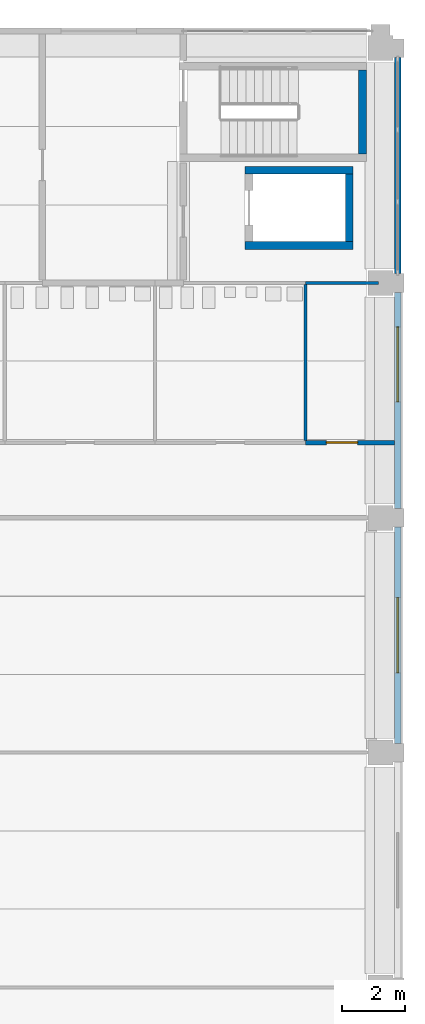
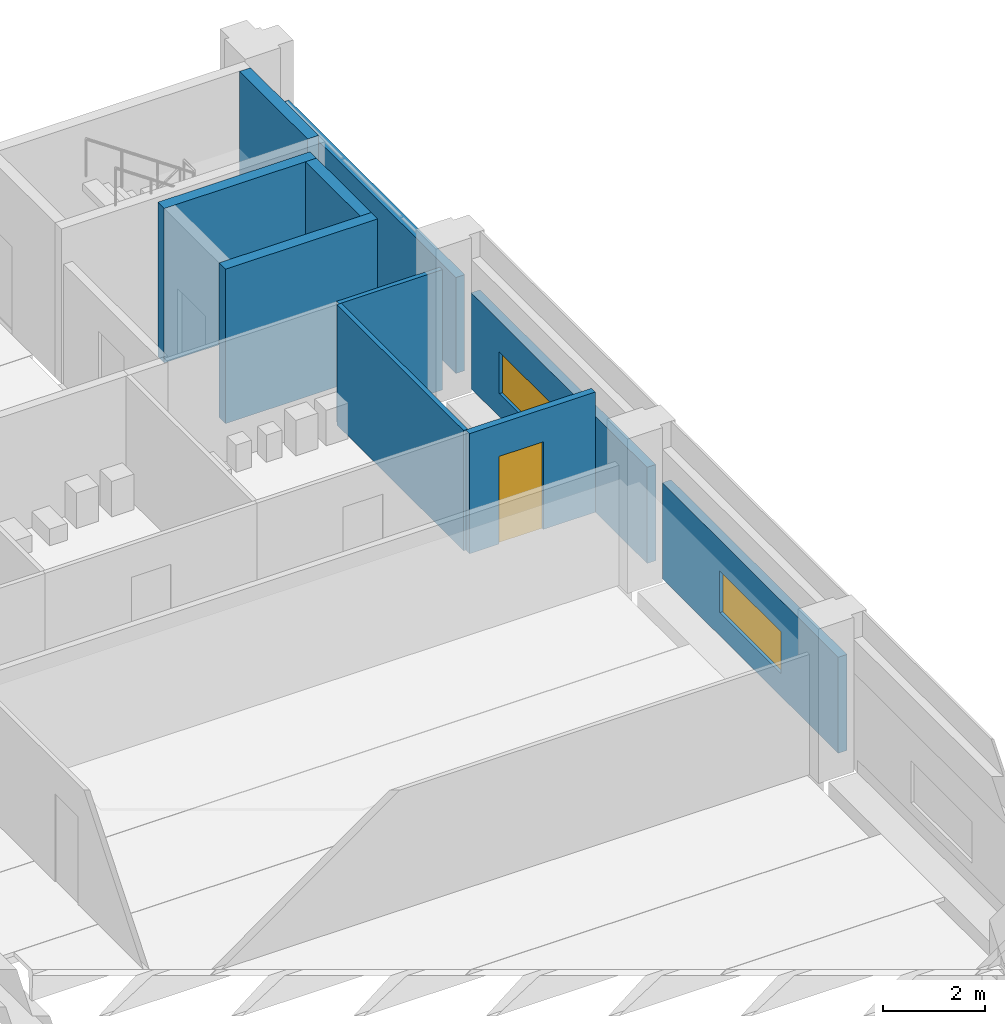
# One storey, part 39 of 61: 10 walls, 2 windows, 1 door, 3 openings.
"""IFC4 building model written with IfcOpenShell, lengths in metres."""

from ifc_helpers import new_model, si_unit, direction, frame, frame_2d, origin, place, context, subcontext, project, spatial, rectangle, extrude, material, layer, layer_set, type_object, element, fill, save


model = new_model("IFC4")

# Units and contexts
model_context = context("Model", 3, precision=1e-05, world=origin(), true_north=direction((0.0, 1.0)))
body_context = subcontext(model_context, "Body", "Model", "MODEL_VIEW")
ifc_project = project(units=[si_unit("LENGTHUNIT", "METRE"), si_unit("AREAUNIT", "SQUARE_METRE"), si_unit("VOLUMEUNIT", "CUBIC_METRE"), si_unit("PLANEANGLEUNIT", "RADIAN"), si_unit("MASSUNIT", "GRAM", prefix="KILO")], contexts=[model_context])

# Site, building, storey
site_placement = place(None, origin())
site = spatial("IfcSite", under=ifc_project, at=site_placement, CompositionType="ELEMENT")
building_placement = place(site_placement, origin())
building = spatial("IfcBuilding", under=site, at=building_placement, Name="Cour d'Honneur Mobility Palace", CompositionType="ELEMENT")
storey_placement = place(building_placement, frame((0.0, 0.0, 11.89990234375)))
storey = spatial("IfcBuildingStorey", under=building, at=storey_placement, Name="L03", CompositionType="ELEMENT", Elevation=11.89990234375)

# Walls
ifc_material_1 = material(Name="Concrete C50", Category="concrete")
ifc_layer_1 = layer(ifc_material_1, 0.25)
ifc_layer_set_1 = layer_set([ifc_layer_1], Name="Concrete C50")
wall_type_1 = type_object("IfcWallType", Name="Lift shaft wall 250", PredefinedType="SHEAR", material=ifc_layer_set_1)
for number, where, z_axis, x_axis, name in (
    (1, (157.97509765625, 108.60009765625, 0.0), (0.0, 0.0, 1.0), (1.0, 0.0, 0.0), "Lift shaft wall WL-NE1 L03"),
    (2, (157.97509765625, 111.0, 0.0), (0.0, 0.0, 1.0), (1.0, 0.0, 0.0), "Lift shaft wall WL-NE2 L03"),
):
    element("IfcWall", number, at=place(storey_placement, frame(where, z_axis=z_axis, x_axis=x_axis)), inside=storey, type_object=wall_type_1, Name=name, PredefinedType="SHEAR", context=body_context, shape_type="SweptSolid", body=[
        extrude(rectangle(XDim=3.449951171875, YDim=0.25, at=frame_2d((1.72509765625, 0.0))), origin(), (0.0, 0.0, 1.0), 3.7001953125),
    ])
wall_1_placement = place(storey_placement, frame((161.300048828125, 108.72509765625, 0.0), z_axis=(0.0, 0.0, 1.0), x_axis=(0.0, 1.0, 0.0)))
element("IfcWall", 3, at=wall_1_placement, inside=storey, type_object=wall_type_1, Name="Lift shaft wall WL-NE7 L03", PredefinedType="SHEAR", context=body_context, shape_type="SweptSolid", body=[
    extrude(rectangle(XDim=2.14990234375, YDim=0.25, at=frame_2d((1.074951171875, 0.0))), origin(), (0.0, 0.0, 1.0), 3.7001953125),
])
ifc_material_2 = material(Name="Gypsum plasterboard")
ifc_layer_2 = layer(ifc_material_2, 0.10009765625)
ifc_layer_set_2 = layer_set([ifc_layer_2], Name="Gypsum plasterboard")
wall_type_2 = type_object("IfcWallType", Name="Partition 100", PredefinedType="PARTITIONING", material=ifc_layer_set_2)
wall_2_placement = place(storey_placement, frame((159.89990234375, 107.35009765625, 0.0), z_axis=(0.0, 0.0, 1.0), x_axis=(0.0, -1.0, 0.0)))
element("IfcWall", 4, at=wall_2_placement, inside=storey, type_object=wall_type_2, Name="Partition 084", PredefinedType="PARTITIONING", context=body_context, shape_type="SweptSolid", body=[
    extrude(rectangle(XDim=4.97509765625, YDim=0.10009765625, at=frame_2d((2.487548828125, 0.0))), origin(), (0.0, 0.0, 1.0), 2.880126953125),
])
wall_3_placement = place(storey_placement, frame((162.239990234375, 107.39990234375, 0.0), z_axis=(0.0, 0.0, 1.0), x_axis=(-1.0, 0.0, 0.0)))
element("IfcWall", 5, at=wall_3_placement, inside=storey, type_object=wall_type_2, Name="Partition 086", PredefinedType="PARTITIONING", context=body_context, shape_type="SweptSolid", body=[
    extrude(rectangle(XDim=2.340087890625, YDim=0.10009765625, at=frame_2d((1.169921875, 0.0))), origin(), (0.0, 0.0, 1.0), 2.880126953125),
])

# Wall, opening, door
ifc_material_3 = material(Name="Gypsum plasterboard")
ifc_layer_3 = layer(ifc_material_3, 0.14990234375)
ifc_layer_set_3 = layer_set([ifc_layer_3], Name="Gypsum plasterboard")
wall_type_3 = type_object("IfcWallType", Name="Partition 150 rated EI 60", PredefinedType="PARTITIONING", material=ifc_layer_set_3)
wall_4_placement = place(storey_placement, frame((162.75, 102.300048828125, 0.0), z_axis=(0.0, 0.0, 1.0), x_axis=(-1.0, 0.0, 0.0)))
wall_4 = element("IfcWall", 6, at=wall_4_placement, inside=storey, type_object=wall_type_3, Name="Partition 068", PredefinedType="PARTITIONING", context=body_context, shape_type="SweptSolid", body=[
    extrude(rectangle(XDim=2.85009765625, YDim=0.14990234375, at=frame_2d((1.425048828125, 0.0))), origin(), (0.0, 0.0, 1.0), 2.880126953125),
])
opening_1_placement = place(wall_4_placement, frame((1.179931640625, 0.0, 0.0)))
opening_1 = element("IfcOpeningElement", 7, at=opening_1_placement, cuts=wall_4, Name="Opening D0325", PredefinedType="OPENING", context=body_context, shape_type="SweptSolid", body=[
    extrude(rectangle(XDim=1.0, YDim=2.10009765625, at=frame_2d((0.5, 1.050048828125))), frame((0.0, 0.0849609375, 0.0), z_axis=(0.0, -1.0, 0.0), x_axis=(1.0, 0.0, 0.0)), (0.0, 0.0, 1.0), 0.169921875),
])
ifc_material_4 = material(Name="Galvanised steel", Category="steel")
door_type = type_object("IfcDoorType", Name="Fire door FD60 1000 x 2100", OperationType="SINGLE_SWING_LEFT", PredefinedType="DOOR", material=ifc_material_4)
door_placement = place(opening_1_placement, origin())
door = element("IfcDoor", 8, at=door_placement, inside=storey, type_object=door_type, Name="Door Cleaner's Store East", OperationType="SINGLE_SWING_RIGHT", OverallHeight=2.10009765625, OverallWidth=1.0, PredefinedType="DOOR", context=body_context, shape_type="SweptSolid", body=[
    extrude(rectangle(XDim=1.0, YDim=2.10009765625, at=frame_2d((0.5, 1.050048828125))), frame((0.0, 0.02490234375, 0.0), z_axis=(0.0, -1.0, 0.0), x_axis=(1.0, 0.0, 0.0)), (0.0, 0.0, 1.0), 0.050048828125),
])
fill(opening_1, door)

# Wall, opening, window
ifc_material_5 = material(Name="Concrete C40", Category="concrete")
ifc_layer_4 = layer(ifc_material_5, 0.199951171875)
ifc_layer_set_4 = layer_set([ifc_layer_4], Name="Concrete C40")
wall_type_4 = type_object("IfcWallType", Name="Spandrel panel", PredefinedType="SOLIDWALL", material=ifc_layer_set_4)
wall_5_placement = place(storey_placement, frame((162.85009765625, 92.699951171875, 0.0), z_axis=(0.0, 0.0, 1.0), x_axis=(0.0, 1.0, 0.0)))
wall_5 = element("IfcWall", 9, at=wall_5_placement, inside=storey, type_object=wall_type_4, Name="Spandrel panel SW-53", PredefinedType="SOLIDWALL", context=body_context, shape_type="SweptSolid", body=[
    extrude(rectangle(XDim=6.900146484375, YDim=0.199951171875, at=frame_2d((3.4501953125, 0.0))), origin(), (0.0, 0.0, 1.0), 2.300048828125),
])
opening_2_placement = place(wall_5_placement, frame((2.25, 0.0, 0.550048828125)))
opening_2 = element("IfcOpeningElement", 10, at=opening_2_placement, cuts=wall_5, Name="Opening W2-53", PredefinedType="OPENING", context=body_context, shape_type="SweptSolid", body=[
    extrude(rectangle(XDim=2.39990234375, YDim=1.0, at=frame_2d((1.199951171875, 0.5))), frame((0.0, 0.10986328125, 0.0), z_axis=(0.0, -1.0, 0.0), x_axis=(1.0, 0.0, 0.0)), (0.0, 0.0, 1.0), 0.219970703125),
])
ifc_material_6 = material(Name="Aluminium frame and glass", Category="aluminium")
window_type = type_object("IfcWindowType", Name="Gallery window W2", PartitioningType="TRIPLE_PANEL_VERTICAL", PredefinedType="WINDOW", material=ifc_material_6)
window_1_placement = place(opening_2_placement, origin())
window_1 = element("IfcWindow", 11, at=window_1_placement, inside=storey, type_object=window_type, Name="Gallery window W2 W2-53", OverallHeight=1.0, OverallWidth=2.39990234375, PartitioningType="SINGLE_PANEL", PredefinedType="WINDOW", context=body_context, shape_type="SweptSolid", body=[
    extrude(rectangle(XDim=2.39990234375, YDim=1.0, at=frame_2d((1.199951171875, 0.5))), frame((0.0, 0.030029296875, 0.0), z_axis=(0.0, -1.0, 0.0), x_axis=(1.0, 0.0, 0.0)), (0.0, 0.0, 1.0), 0.06005859375),
])
fill(opening_2, window_1)

wall_6_placement = place(storey_placement, frame((162.85009765625, 100.199951171875, 0.0), z_axis=(0.0, 0.0, 1.0), x_axis=(0.0, 1.0, 0.0)))
wall_6 = element("IfcWall", 12, at=wall_6_placement, inside=storey, type_object=wall_type_4, Name="Spandrel panel SW-54", PredefinedType="SOLIDWALL", context=body_context, shape_type="SweptSolid", body=[
    extrude(rectangle(XDim=6.900146484375, YDim=0.199951171875, at=frame_2d((3.4501953125, 0.0))), origin(), (0.0, 0.0, 1.0), 2.300048828125),
])
opening_3_placement = place(wall_6_placement, frame((3.39990234375, 0.0, 0.550048828125)))
opening_3 = element("IfcOpeningElement", 13, at=opening_3_placement, cuts=wall_6, Name="Opening W2-54", PredefinedType="OPENING", context=body_context, shape_type="SweptSolid", body=[
    extrude(rectangle(XDim=2.39990234375, YDim=1.0, at=frame_2d((1.199951171875, 0.5))), frame((0.0, 0.10986328125, 0.0), z_axis=(0.0, -1.0, 0.0), x_axis=(1.0, 0.0, 0.0)), (0.0, 0.0, 1.0), 0.219970703125),
])
window_2_placement = place(opening_3_placement, origin())
window_2 = element("IfcWindow", 14, at=window_2_placement, inside=storey, type_object=window_type, Name="Gallery window W2 W2-54", OverallHeight=1.0, OverallWidth=2.39990234375, PartitioningType="SINGLE_PANEL", PredefinedType="WINDOW", context=body_context, shape_type="SweptSolid", body=[
    extrude(rectangle(XDim=2.39990234375, YDim=1.0, at=frame_2d((1.199951171875, 0.5))), frame((0.0, 0.030029296875, 0.0), z_axis=(0.0, -1.0, 0.0), x_axis=(1.0, 0.0, 0.0)), (0.0, 0.0, 1.0), 0.06005859375),
])
fill(opening_3, window_2)

# Walls
wall_7_placement = place(storey_placement, frame((162.85009765625, 107.699951171875, 0.0), z_axis=(0.0, 0.0, 1.0), x_axis=(0.0, 1.0, 0.0)))
element("IfcWall", 15, at=wall_7_placement, inside=storey, type_object=wall_type_4, Name="Spandrel panel SW-55", PredefinedType="SOLIDWALL", context=body_context, shape_type="SweptSolid", body=[
    extrude(rectangle(XDim=6.900146484375, YDim=0.199951171875, at=frame_2d((3.4501953125, 0.0))), origin(), (0.0, 0.0, 1.0), 2.300048828125),
])
ifc_material_7 = material(Name="Concrete C50", Category="concrete")
ifc_layer_5 = layer(ifc_material_7, 0.25)
ifc_layer_set_5 = layer_set([ifc_layer_5], Name="Concrete C50")
wall_type_5 = type_object("IfcWallType", Name="Stair wall 250", PredefinedType="SHEAR", material=ifc_layer_set_5)
wall_8_placement = place(storey_placement, frame((161.72509765625, 111.52490234375, 0.0), z_axis=(0.0, 0.0, 1.0), x_axis=(0.0, 1.0, 0.0)))
element("IfcWall", 16, at=wall_8_placement, inside=storey, type_object=wall_type_5, Name="Stair wall WS-NE8 L03", PredefinedType="SHEAR", context=body_context, shape_type="SweptSolid", body=[
    extrude(rectangle(XDim=2.675048828125, YDim=0.25, at=frame_2d((1.33740234375, 0.0))), origin(), (0.0, 0.0, 1.0), 3.7001953125),
])

save(model, "model.ifc")
